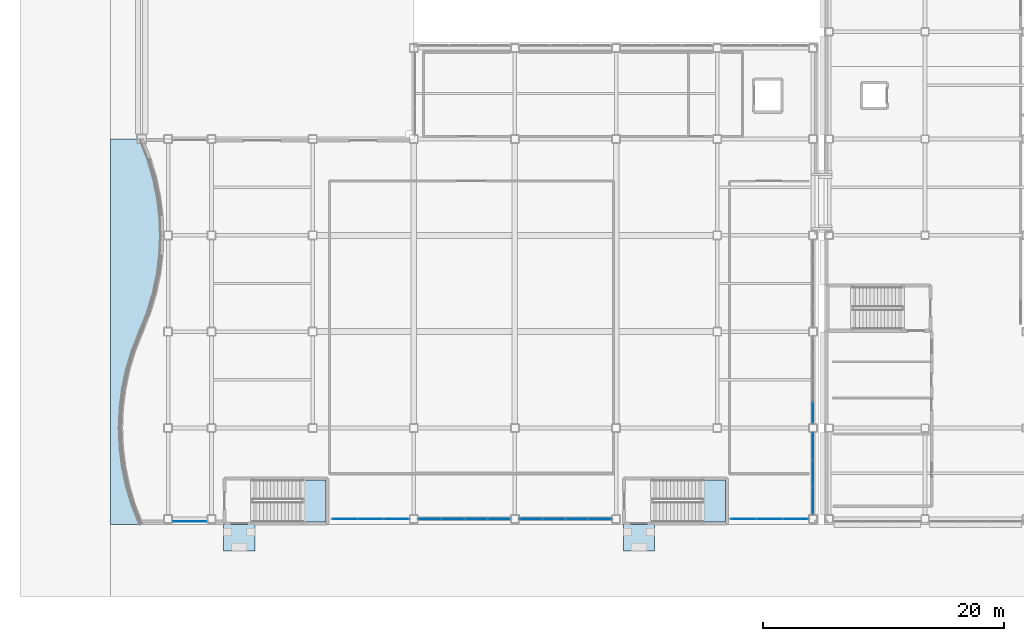
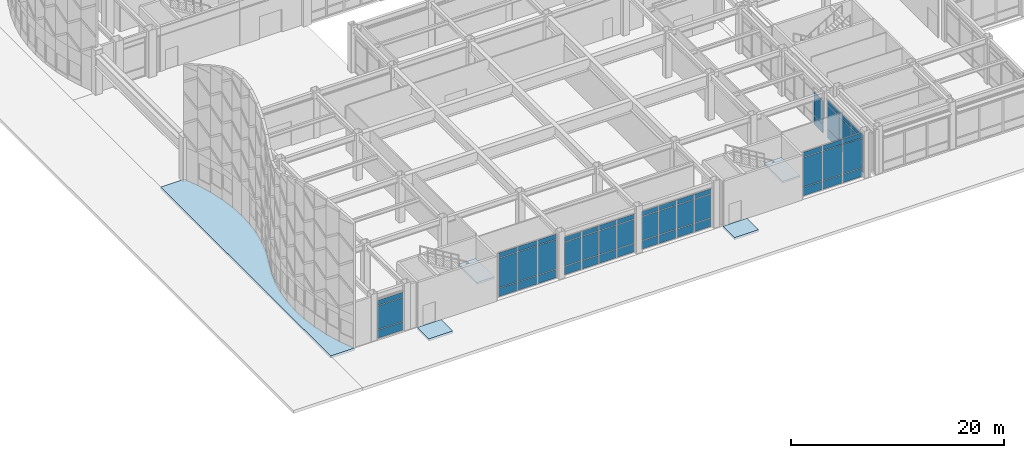
# One storey, part 109 of 165: 56 plates, 5 slabs, 9 elements without a shape of their own.
"""IFC4 building model written with IfcOpenShell, lengths in metres."""

from ifc_helpers import new_model, si_unit, direction, frame, origin, origin_2d, place, context, subcontext, project, spatial, polyline, rectangle, outline, extrude, material, layer, layer_set, type_object, element, aggregate, save


model = new_model("IFC4")

# Units and contexts
model_context = context("Model", 3, precision=1e-05, world=origin(), true_north=direction((0.0, 1.0)))
body_context = subcontext(model_context, "Body", "Model", "MODEL_VIEW")
ifc_project = project(units=[si_unit("LENGTHUNIT", "METRE"), si_unit("AREAUNIT", "SQUARE_METRE"), si_unit("VOLUMEUNIT", "CUBIC_METRE"), si_unit("PLANEANGLEUNIT", "RADIAN"), si_unit("MASSUNIT", "GRAM", prefix="KILO")], contexts=[model_context])

# Site, building, storey
site_placement = place(None, origin())
site = spatial("IfcSite", under=ifc_project, at=site_placement, CompositionType="ELEMENT")
building_placement = place(site_placement, origin())
building = spatial("IfcBuilding", under=site, at=building_placement, Name="Kazehara Bluff Congress Hotel", CompositionType="ELEMENT")
storey_placement = place(building_placement, origin())
storey = spatial("IfcBuildingStorey", under=building, at=storey_placement, Name="L00", CompositionType="ELEMENT", Elevation=0.0)

# Curtain wall, plates
ifc_material_1 = material(Name="Anodised aluminium", Category="aluminium")
ifc_layer_1 = layer(ifc_material_1, 0.159912109375)
ifc_layer_set_1 = layer_set([ifc_layer_1], Name="Anodised aluminium")
curtain_wall_type_1 = type_object("IfcCurtainWallType", Name="TP-CW-25", PredefinedType="NOTDEFINED", material=ifc_layer_set_1)
curtain_wall_1_placement = place(storey_placement, origin())
curtain_wall_1 = element("IfcCurtainWall", 1, at=curtain_wall_1_placement, inside=storey, type_object=curtain_wall_type_1, Name="L00 curtain wall CW-25 CW-V2-L00-Y45-1840", PredefinedType="NOTDEFINED")
ifc_material_2 = material(Name="Insulated low-E double glazing", Category="glass")
ifc_layer_2 = layer(ifc_material_2, 0.031982421875)
ifc_layer_set_2 = layer_set([ifc_layer_2], Name="Insulated low-E double glazing")
plate_type = type_object("IfcPlateType", Name="TP-CWP-02", PredefinedType="CURTAIN_PANEL", material=ifc_layer_set_2)
plate_1_placement = place(storey_placement, frame((19.492431640625, 0.449951171875, 0.06005859375), z_axis=(0.0, 0.0, 1.0), x_axis=(1.0, 0.0, 0.0)))
plate_1 = element("IfcPlate", 2, at=plate_1_placement, type_object=plate_type, Name="CW-25 panel 1.1", PredefinedType="CURTAIN_PANEL", context=body_context, shape_type="SweptSolid", body=[
    extrude(rectangle(XDim=2.044921875, YDim=0.031982421875, at=origin_2d()), origin(), (0.0, 0.0, 1.0), 0.9599609375),
])
plate_2_placement = place(storey_placement, frame((19.492431640625, 0.449951171875, 1.080078125), z_axis=(0.0, 0.0, 1.0), x_axis=(1.0, 0.0, 0.0)))
plate_2 = element("IfcPlate", 3, at=plate_2_placement, type_object=plate_type, Name="CW-25 panel 1.2", PredefinedType="CURTAIN_PANEL", context=body_context, shape_type="SweptSolid", body=[
    extrude(rectangle(XDim=2.044921875, YDim=0.031982421875, at=origin_2d()), origin(), (0.0, 0.0, 1.0), 3.375),
])
plate_3_placement = place(storey_placement, frame((19.492431640625, 0.449951171875, 4.514892578125), z_axis=(0.0, 0.0, 1.0), x_axis=(1.0, 0.0, 0.0)))
plate_3 = element("IfcPlate", 4, at=plate_3_placement, type_object=plate_type, Name="CW-25 panel 1.3", PredefinedType="CURTAIN_PANEL", context=body_context, shape_type="SweptSolid", body=[
    extrude(rectangle(XDim=2.044921875, YDim=0.031982421875, at=origin_2d()), origin(), (0.0, 0.0, 1.0), 0.56005859375),
])
plate_4_placement = place(storey_placement, frame((21.625, 0.449951171875, 0.06005859375), z_axis=(0.0, 0.0, 1.0), x_axis=(1.0, 0.0, 0.0)))
plate_4 = element("IfcPlate", 5, at=plate_4_placement, type_object=plate_type, Name="CW-25 panel 2.1", PredefinedType="CURTAIN_PANEL", context=body_context, shape_type="SweptSolid", body=[
    extrude(rectangle(XDim=2.080078125, YDim=0.031982421875, at=origin_2d()), origin(), (0.0, 0.0, 1.0), 0.9599609375),
])
plate_5_placement = place(storey_placement, frame((21.625, 0.449951171875, 1.080078125), z_axis=(0.0, 0.0, 1.0), x_axis=(1.0, 0.0, 0.0)))
plate_5 = element("IfcPlate", 6, at=plate_5_placement, type_object=plate_type, Name="CW-25 panel 2.2", PredefinedType="CURTAIN_PANEL", context=body_context, shape_type="SweptSolid", body=[
    extrude(rectangle(XDim=2.080078125, YDim=0.031982421875, at=origin_2d()), origin(), (0.0, 0.0, 1.0), 3.375),
])
plate_6_placement = place(storey_placement, frame((21.625, 0.449951171875, 4.514892578125), z_axis=(0.0, 0.0, 1.0), x_axis=(1.0, 0.0, 0.0)))
plate_6 = element("IfcPlate", 7, at=plate_6_placement, type_object=plate_type, Name="CW-25 panel 2.3", PredefinedType="CURTAIN_PANEL", context=body_context, shape_type="SweptSolid", body=[
    extrude(rectangle(XDim=2.080078125, YDim=0.031982421875, at=origin_2d()), origin(), (0.0, 0.0, 1.0), 0.56005859375),
])
plate_7_placement = place(storey_placement, frame((23.757568359375, 0.449951171875, 0.06005859375), z_axis=(0.0, 0.0, 1.0), x_axis=(1.0, 0.0, 0.0)))
plate_7 = element("IfcPlate", 8, at=plate_7_placement, type_object=plate_type, Name="CW-25 panel 3.1", PredefinedType="CURTAIN_PANEL", context=body_context, shape_type="SweptSolid", body=[
    extrude(rectangle(XDim=2.044921875, YDim=0.031982421875, at=origin_2d()), origin(), (0.0, 0.0, 1.0), 0.9599609375),
])
plate_8_placement = place(storey_placement, frame((23.757568359375, 0.449951171875, 1.080078125), z_axis=(0.0, 0.0, 1.0), x_axis=(1.0, 0.0, 0.0)))
plate_8 = element("IfcPlate", 9, at=plate_8_placement, type_object=plate_type, Name="CW-25 panel 3.2", PredefinedType="CURTAIN_PANEL", context=body_context, shape_type="SweptSolid", body=[
    extrude(rectangle(XDim=2.044921875, YDim=0.031982421875, at=origin_2d()), origin(), (0.0, 0.0, 1.0), 3.375),
])
plate_9_placement = place(storey_placement, frame((23.757568359375, 0.449951171875, 4.514892578125), z_axis=(0.0, 0.0, 1.0), x_axis=(1.0, 0.0, 0.0)))
plate_9 = element("IfcPlate", 10, at=plate_9_placement, type_object=plate_type, Name="CW-25 panel 3.3", PredefinedType="CURTAIN_PANEL", context=body_context, shape_type="SweptSolid", body=[
    extrude(rectangle(XDim=2.044921875, YDim=0.031982421875, at=origin_2d()), origin(), (0.0, 0.0, 1.0), 0.56005859375),
])
aggregate(curtain_wall_1, [plate_1, plate_2, plate_3, plate_4, plate_5, plate_6, plate_7, plate_8, plate_9])

ifc_material_3 = material(Name="Anodised aluminium", Category="aluminium")
ifc_layer_3 = layer(ifc_material_3, 0.159912109375)
ifc_layer_set_3 = layer_set([ifc_layer_3], Name="Anodised aluminium")
curtain_wall_type_2 = type_object("IfcCurtainWallType", Name="TP-CW-26", PredefinedType="NOTDEFINED", material=ifc_layer_set_3)
curtain_wall_2_placement = place(storey_placement, origin())
curtain_wall_2 = element("IfcCurtainWall", 11, at=curtain_wall_2_placement, inside=storey, type_object=curtain_wall_type_2, Name="L00 curtain wall CW-26 CW-V2-L00-Y45-2555", PredefinedType="NOTDEFINED")
plate_10_placement = place(storey_placement, frame((26.530029296875, 0.449951171875, 0.06494140625), z_axis=(0.0, 0.0, 1.0), x_axis=(1.0, 0.0, 0.0)))
plate_10 = element("IfcPlate", 12, at=plate_10_placement, type_object=plate_type, Name="CW-26 panel 1.1", PredefinedType="CURTAIN_PANEL", context=body_context, shape_type="SweptSolid", body=[
    extrude(rectangle(XDim=1.820068359375, YDim=0.031982421875, at=origin_2d()), origin(), (0.0, 0.0, 1.0), 0.952392578125),
])
plate_11_placement = place(storey_placement, frame((26.530029296875, 0.449951171875, 1.08251953125), z_axis=(0.0, 0.0, 1.0), x_axis=(1.0, 0.0, 0.0)))
plate_11 = element("IfcPlate", 13, at=plate_11_placement, type_object=plate_type, Name="CW-26 panel 1.2", PredefinedType="CURTAIN_PANEL", context=body_context, shape_type="SweptSolid", body=[
    extrude(rectangle(XDim=1.820068359375, YDim=0.031982421875, at=origin_2d()), origin(), (0.0, 0.0, 1.0), 2.7099609375),
])
plate_12_placement = place(storey_placement, frame((26.530029296875, 0.449951171875, 3.857421875), z_axis=(0.0, 0.0, 1.0), x_axis=(1.0, 0.0, 0.0)))
plate_12 = element("IfcPlate", 14, at=plate_12_placement, type_object=plate_type, Name="CW-26 panel 1.3", PredefinedType="CURTAIN_PANEL", context=body_context, shape_type="SweptSolid", body=[
    extrude(rectangle(XDim=1.820068359375, YDim=0.031982421875, at=origin_2d()), origin(), (0.0, 0.0, 1.0), 0.552490234375),
])
plate_13_placement = place(storey_placement, frame((28.4375, 0.449951171875, 0.06494140625), z_axis=(0.0, 0.0, 1.0), x_axis=(1.0, 0.0, 0.0)))
plate_13 = element("IfcPlate", 15, at=plate_13_placement, type_object=plate_type, Name="CW-26 panel 2.1", PredefinedType="CURTAIN_PANEL", context=body_context, shape_type="SweptSolid", body=[
    extrude(rectangle(XDim=1.85498046875, YDim=0.031982421875, at=origin_2d()), origin(), (0.0, 0.0, 1.0), 0.952392578125),
])
plate_14_placement = place(storey_placement, frame((28.4375, 0.449951171875, 1.08251953125), z_axis=(0.0, 0.0, 1.0), x_axis=(1.0, 0.0, 0.0)))
plate_14 = element("IfcPlate", 16, at=plate_14_placement, type_object=plate_type, Name="CW-26 panel 2.2", PredefinedType="CURTAIN_PANEL", context=body_context, shape_type="SweptSolid", body=[
    extrude(rectangle(XDim=1.85498046875, YDim=0.031982421875, at=origin_2d()), origin(), (0.0, 0.0, 1.0), 2.7099609375),
])
plate_15_placement = place(storey_placement, frame((28.4375, 0.449951171875, 3.857421875), z_axis=(0.0, 0.0, 1.0), x_axis=(1.0, 0.0, 0.0)))
plate_15 = element("IfcPlate", 17, at=plate_15_placement, type_object=plate_type, Name="CW-26 panel 2.3", PredefinedType="CURTAIN_PANEL", context=body_context, shape_type="SweptSolid", body=[
    extrude(rectangle(XDim=1.85498046875, YDim=0.031982421875, at=origin_2d()), origin(), (0.0, 0.0, 1.0), 0.552490234375),
])
plate_16_placement = place(storey_placement, frame((30.362548828125, 0.449951171875, 0.06494140625), z_axis=(0.0, 0.0, 1.0), x_axis=(1.0, 0.0, 0.0)))
plate_16 = element("IfcPlate", 18, at=plate_16_placement, type_object=plate_type, Name="CW-26 panel 3.1", PredefinedType="CURTAIN_PANEL", context=body_context, shape_type="SweptSolid", body=[
    extrude(rectangle(XDim=1.85498046875, YDim=0.031982421875, at=origin_2d()), origin(), (0.0, 0.0, 1.0), 0.952392578125),
])
plate_17_placement = place(storey_placement, frame((30.362548828125, 0.449951171875, 1.08251953125), z_axis=(0.0, 0.0, 1.0), x_axis=(1.0, 0.0, 0.0)))
plate_17 = element("IfcPlate", 19, at=plate_17_placement, type_object=plate_type, Name="CW-26 panel 3.2", PredefinedType="CURTAIN_PANEL", context=body_context, shape_type="SweptSolid", body=[
    extrude(rectangle(XDim=1.85498046875, YDim=0.031982421875, at=origin_2d()), origin(), (0.0, 0.0, 1.0), 2.7099609375),
])
plate_18_placement = place(storey_placement, frame((30.362548828125, 0.449951171875, 3.857421875), z_axis=(0.0, 0.0, 1.0), x_axis=(1.0, 0.0, 0.0)))
plate_18 = element("IfcPlate", 20, at=plate_18_placement, type_object=plate_type, Name="CW-26 panel 3.3", PredefinedType="CURTAIN_PANEL", context=body_context, shape_type="SweptSolid", body=[
    extrude(rectangle(XDim=1.85498046875, YDim=0.031982421875, at=origin_2d()), origin(), (0.0, 0.0, 1.0), 0.552490234375),
])
plate_19_placement = place(storey_placement, frame((32.27001953125, 0.449951171875, 0.06494140625), z_axis=(0.0, 0.0, 1.0), x_axis=(1.0, 0.0, 0.0)))
plate_19 = element("IfcPlate", 21, at=plate_19_placement, type_object=plate_type, Name="CW-26 panel 4.1", PredefinedType="CURTAIN_PANEL", context=body_context, shape_type="SweptSolid", body=[
    extrude(rectangle(XDim=1.820068359375, YDim=0.031982421875, at=origin_2d()), origin(), (0.0, 0.0, 1.0), 0.952392578125),
])
plate_20_placement = place(storey_placement, frame((32.27001953125, 0.449951171875, 1.08251953125), z_axis=(0.0, 0.0, 1.0), x_axis=(1.0, 0.0, 0.0)))
plate_20 = element("IfcPlate", 22, at=plate_20_placement, type_object=plate_type, Name="CW-26 panel 4.2", PredefinedType="CURTAIN_PANEL", context=body_context, shape_type="SweptSolid", body=[
    extrude(rectangle(XDim=1.820068359375, YDim=0.031982421875, at=origin_2d()), origin(), (0.0, 0.0, 1.0), 2.7099609375),
])
plate_21_placement = place(storey_placement, frame((32.27001953125, 0.449951171875, 3.857421875), z_axis=(0.0, 0.0, 1.0), x_axis=(1.0, 0.0, 0.0)))
plate_21 = element("IfcPlate", 23, at=plate_21_placement, type_object=plate_type, Name="CW-26 panel 4.3", PredefinedType="CURTAIN_PANEL", context=body_context, shape_type="SweptSolid", body=[
    extrude(rectangle(XDim=1.820068359375, YDim=0.031982421875, at=origin_2d()), origin(), (0.0, 0.0, 1.0), 0.552490234375),
])
aggregate(curtain_wall_2, [plate_10, plate_11, plate_12, plate_13, plate_14, plate_15, plate_16, plate_17, plate_18, plate_19, plate_20, plate_21])

curtain_wall_3_placement = place(storey_placement, origin())
curtain_wall_3 = element("IfcCurtainWall", 24, at=curtain_wall_3_placement, inside=storey, type_object=curtain_wall_type_2, Name="L00 curtain wall CW-26 CW-V2-L00-Y45-3395", PredefinedType="NOTDEFINED")
plate_22_placement = place(storey_placement, frame((34.929931640625, 0.449951171875, 0.06494140625), z_axis=(0.0, 0.0, 1.0), x_axis=(1.0, 0.0, 0.0)))
plate_22 = element("IfcPlate", 25, at=plate_22_placement, type_object=plate_type, Name="CW-26 panel 1.1", PredefinedType="CURTAIN_PANEL", context=body_context, shape_type="SweptSolid", body=[
    extrude(rectangle(XDim=1.820068359375, YDim=0.031982421875, at=origin_2d()), origin(), (0.0, 0.0, 1.0), 0.952392578125),
])
plate_23_placement = place(storey_placement, frame((34.929931640625, 0.449951171875, 1.08251953125), z_axis=(0.0, 0.0, 1.0), x_axis=(1.0, 0.0, 0.0)))
plate_23 = element("IfcPlate", 26, at=plate_23_placement, type_object=plate_type, Name="CW-26 panel 1.2", PredefinedType="CURTAIN_PANEL", context=body_context, shape_type="SweptSolid", body=[
    extrude(rectangle(XDim=1.820068359375, YDim=0.031982421875, at=origin_2d()), origin(), (0.0, 0.0, 1.0), 2.7099609375),
])
plate_24_placement = place(storey_placement, frame((34.929931640625, 0.449951171875, 3.857421875), z_axis=(0.0, 0.0, 1.0), x_axis=(1.0, 0.0, 0.0)))
plate_24 = element("IfcPlate", 27, at=plate_24_placement, type_object=plate_type, Name="CW-26 panel 1.3", PredefinedType="CURTAIN_PANEL", context=body_context, shape_type="SweptSolid", body=[
    extrude(rectangle(XDim=1.820068359375, YDim=0.031982421875, at=origin_2d()), origin(), (0.0, 0.0, 1.0), 0.552490234375),
])
plate_25_placement = place(storey_placement, frame((36.83740234375, 0.449951171875, 0.06494140625), z_axis=(0.0, 0.0, 1.0), x_axis=(1.0, 0.0, 0.0)))
plate_25 = element("IfcPlate", 28, at=plate_25_placement, type_object=plate_type, Name="CW-26 panel 2.1", PredefinedType="CURTAIN_PANEL", context=body_context, shape_type="SweptSolid", body=[
    extrude(rectangle(XDim=1.85498046875, YDim=0.031982421875, at=origin_2d()), origin(), (0.0, 0.0, 1.0), 0.952392578125),
])
plate_26_placement = place(storey_placement, frame((36.83740234375, 0.449951171875, 1.08251953125), z_axis=(0.0, 0.0, 1.0), x_axis=(1.0, 0.0, 0.0)))
plate_26 = element("IfcPlate", 29, at=plate_26_placement, type_object=plate_type, Name="CW-26 panel 2.2", PredefinedType="CURTAIN_PANEL", context=body_context, shape_type="SweptSolid", body=[
    extrude(rectangle(XDim=1.85498046875, YDim=0.031982421875, at=origin_2d()), origin(), (0.0, 0.0, 1.0), 2.7099609375),
])
plate_27_placement = place(storey_placement, frame((36.83740234375, 0.449951171875, 3.857421875), z_axis=(0.0, 0.0, 1.0), x_axis=(1.0, 0.0, 0.0)))
plate_27 = element("IfcPlate", 30, at=plate_27_placement, type_object=plate_type, Name="CW-26 panel 2.3", PredefinedType="CURTAIN_PANEL", context=body_context, shape_type="SweptSolid", body=[
    extrude(rectangle(XDim=1.85498046875, YDim=0.031982421875, at=origin_2d()), origin(), (0.0, 0.0, 1.0), 0.552490234375),
])
plate_28_placement = place(storey_placement, frame((38.762451171875, 0.449951171875, 0.06494140625), z_axis=(0.0, 0.0, 1.0), x_axis=(1.0, 0.0, 0.0)))
plate_28 = element("IfcPlate", 31, at=plate_28_placement, type_object=plate_type, Name="CW-26 panel 3.1", PredefinedType="CURTAIN_PANEL", context=body_context, shape_type="SweptSolid", body=[
    extrude(rectangle(XDim=1.85498046875, YDim=0.031982421875, at=origin_2d()), origin(), (0.0, 0.0, 1.0), 0.952392578125),
])
plate_29_placement = place(storey_placement, frame((38.762451171875, 0.449951171875, 1.08251953125), z_axis=(0.0, 0.0, 1.0), x_axis=(1.0, 0.0, 0.0)))
plate_29 = element("IfcPlate", 32, at=plate_29_placement, type_object=plate_type, Name="CW-26 panel 3.2", PredefinedType="CURTAIN_PANEL", context=body_context, shape_type="SweptSolid", body=[
    extrude(rectangle(XDim=1.85498046875, YDim=0.031982421875, at=origin_2d()), origin(), (0.0, 0.0, 1.0), 2.7099609375),
])
plate_30_placement = place(storey_placement, frame((38.762451171875, 0.449951171875, 3.857421875), z_axis=(0.0, 0.0, 1.0), x_axis=(1.0, 0.0, 0.0)))
plate_30 = element("IfcPlate", 33, at=plate_30_placement, type_object=plate_type, Name="CW-26 panel 3.3", PredefinedType="CURTAIN_PANEL", context=body_context, shape_type="SweptSolid", body=[
    extrude(rectangle(XDim=1.85498046875, YDim=0.031982421875, at=origin_2d()), origin(), (0.0, 0.0, 1.0), 0.552490234375),
])
plate_31_placement = place(storey_placement, frame((40.669921875, 0.449951171875, 0.06494140625), z_axis=(0.0, 0.0, 1.0), x_axis=(1.0, 0.0, 0.0)))
plate_31 = element("IfcPlate", 34, at=plate_31_placement, type_object=plate_type, Name="CW-26 panel 4.1", PredefinedType="CURTAIN_PANEL", context=body_context, shape_type="SweptSolid", body=[
    extrude(rectangle(XDim=1.820068359375, YDim=0.031982421875, at=origin_2d()), origin(), (0.0, 0.0, 1.0), 0.952392578125),
])
plate_32_placement = place(storey_placement, frame((40.669921875, 0.449951171875, 1.08251953125), z_axis=(0.0, 0.0, 1.0), x_axis=(1.0, 0.0, 0.0)))
plate_32 = element("IfcPlate", 35, at=plate_32_placement, type_object=plate_type, Name="CW-26 panel 4.2", PredefinedType="CURTAIN_PANEL", context=body_context, shape_type="SweptSolid", body=[
    extrude(rectangle(XDim=1.820068359375, YDim=0.031982421875, at=origin_2d()), origin(), (0.0, 0.0, 1.0), 2.7099609375),
])
plate_33_placement = place(storey_placement, frame((40.669921875, 0.449951171875, 3.857421875), z_axis=(0.0, 0.0, 1.0), x_axis=(1.0, 0.0, 0.0)))
plate_33 = element("IfcPlate", 36, at=plate_33_placement, type_object=plate_type, Name="CW-26 panel 4.3", PredefinedType="CURTAIN_PANEL", context=body_context, shape_type="SweptSolid", body=[
    extrude(rectangle(XDim=1.820068359375, YDim=0.031982421875, at=origin_2d()), origin(), (0.0, 0.0, 1.0), 0.552490234375),
])
aggregate(curtain_wall_3, [plate_22, plate_23, plate_24, plate_25, plate_26, plate_27, plate_28, plate_29, plate_30, plate_31, plate_32, plate_33])

ifc_material_4 = material(Name="Anodised aluminium", Category="aluminium")
ifc_layer_4 = layer(ifc_material_4, 0.159912109375)
ifc_layer_set_4 = layer_set([ifc_layer_4], Name="Anodised aluminium")
curtain_wall_type_3 = type_object("IfcCurtainWallType", Name="TP-CW-27", PredefinedType="NOTDEFINED", material=ifc_layer_set_4)
curtain_wall_4_placement = place(storey_placement, origin())
curtain_wall_4 = element("IfcCurtainWall", 37, at=curtain_wall_4_placement, inside=storey, type_object=curtain_wall_type_3, Name="L00 curtain wall CW-27 CW-V2-L00-Y45-5150", PredefinedType="NOTDEFINED")
plate_34_placement = place(storey_placement, frame((52.600830078125, 0.449951171875, 0.06005859375), z_axis=(0.0, 0.0, 1.0), x_axis=(1.0, 0.0, 0.0)))
plate_34 = element("IfcPlate", 38, at=plate_34_placement, type_object=plate_type, Name="CW-27 panel 1.1", PredefinedType="CURTAIN_PANEL", context=body_context, shape_type="SweptSolid", body=[
    extrude(rectangle(XDim=2.061767578125, YDim=0.031982421875, at=origin_2d()), origin(), (0.0, 0.0, 1.0), 0.9599609375),
])
plate_35_placement = place(storey_placement, frame((52.600830078125, 0.449951171875, 1.080078125), z_axis=(0.0, 0.0, 1.0), x_axis=(1.0, 0.0, 0.0)))
plate_35 = element("IfcPlate", 39, at=plate_35_placement, type_object=plate_type, Name="CW-27 panel 1.2", PredefinedType="CURTAIN_PANEL", context=body_context, shape_type="SweptSolid", body=[
    extrude(rectangle(XDim=2.061767578125, YDim=0.031982421875, at=origin_2d()), origin(), (0.0, 0.0, 1.0), 3.375),
])
plate_36_placement = place(storey_placement, frame((52.600830078125, 0.449951171875, 4.514892578125), z_axis=(0.0, 0.0, 1.0), x_axis=(1.0, 0.0, 0.0)))
plate_36 = element("IfcPlate", 40, at=plate_36_placement, type_object=plate_type, Name="CW-27 panel 1.3", PredefinedType="CURTAIN_PANEL", context=body_context, shape_type="SweptSolid", body=[
    extrude(rectangle(XDim=2.061767578125, YDim=0.031982421875, at=origin_2d()), origin(), (0.0, 0.0, 1.0), 0.56005859375),
])
plate_37_placement = place(storey_placement, frame((54.75, 0.449951171875, 0.06005859375), z_axis=(0.0, 0.0, 1.0), x_axis=(1.0, 0.0, 0.0)))
plate_37 = element("IfcPlate", 41, at=plate_37_placement, type_object=plate_type, Name="CW-27 panel 2.1", PredefinedType="CURTAIN_PANEL", context=body_context, shape_type="SweptSolid", body=[
    extrude(rectangle(XDim=2.0966796875, YDim=0.031982421875, at=origin_2d()), origin(), (0.0, 0.0, 1.0), 0.9599609375),
])
plate_38_placement = place(storey_placement, frame((54.75, 0.449951171875, 1.080078125), z_axis=(0.0, 0.0, 1.0), x_axis=(1.0, 0.0, 0.0)))
plate_38 = element("IfcPlate", 42, at=plate_38_placement, type_object=plate_type, Name="CW-27 panel 2.2", PredefinedType="CURTAIN_PANEL", context=body_context, shape_type="SweptSolid", body=[
    extrude(rectangle(XDim=2.0966796875, YDim=0.031982421875, at=origin_2d()), origin(), (0.0, 0.0, 1.0), 3.375),
])
plate_39_placement = place(storey_placement, frame((54.75, 0.449951171875, 4.514892578125), z_axis=(0.0, 0.0, 1.0), x_axis=(1.0, 0.0, 0.0)))
plate_39 = element("IfcPlate", 43, at=plate_39_placement, type_object=plate_type, Name="CW-27 panel 2.3", PredefinedType="CURTAIN_PANEL", context=body_context, shape_type="SweptSolid", body=[
    extrude(rectangle(XDim=2.0966796875, YDim=0.031982421875, at=origin_2d()), origin(), (0.0, 0.0, 1.0), 0.56005859375),
])
plate_40_placement = place(storey_placement, frame((56.899169921875, 0.449951171875, 0.06005859375), z_axis=(0.0, 0.0, 1.0), x_axis=(1.0, 0.0, 0.0)))
plate_40 = element("IfcPlate", 44, at=plate_40_placement, type_object=plate_type, Name="CW-27 panel 3.1", PredefinedType="CURTAIN_PANEL", context=body_context, shape_type="SweptSolid", body=[
    extrude(rectangle(XDim=2.061767578125, YDim=0.031982421875, at=origin_2d()), origin(), (0.0, 0.0, 1.0), 0.9599609375),
])
plate_41_placement = place(storey_placement, frame((56.899169921875, 0.449951171875, 1.080078125), z_axis=(0.0, 0.0, 1.0), x_axis=(1.0, 0.0, 0.0)))
plate_41 = element("IfcPlate", 45, at=plate_41_placement, type_object=plate_type, Name="CW-27 panel 3.2", PredefinedType="CURTAIN_PANEL", context=body_context, shape_type="SweptSolid", body=[
    extrude(rectangle(XDim=2.061767578125, YDim=0.031982421875, at=origin_2d()), origin(), (0.0, 0.0, 1.0), 3.375),
])
plate_42_placement = place(storey_placement, frame((56.899169921875, 0.449951171875, 4.514892578125), z_axis=(0.0, 0.0, 1.0), x_axis=(1.0, 0.0, 0.0)))
plate_42 = element("IfcPlate", 46, at=plate_42_placement, type_object=plate_type, Name="CW-27 panel 3.3", PredefinedType="CURTAIN_PANEL", context=body_context, shape_type="SweptSolid", body=[
    extrude(rectangle(XDim=2.061767578125, YDim=0.031982421875, at=origin_2d()), origin(), (0.0, 0.0, 1.0), 0.56005859375),
])
aggregate(curtain_wall_4, [plate_34, plate_35, plate_36, plate_37, plate_38, plate_39, plate_40, plate_41, plate_42])

ifc_material_5 = material(Name="Anodised aluminium", Category="aluminium")
ifc_layer_5 = layer(ifc_material_5, 0.159912109375)
ifc_layer_set_5 = layer_set([ifc_layer_5], Name="Anodised aluminium")
curtain_wall_type_4 = type_object("IfcCurtainWallType", Name="TP-CW-31", PredefinedType="NOTDEFINED", material=ifc_layer_set_5)
curtain_wall_5_placement = place(storey_placement, origin())
curtain_wall_5 = element("IfcCurtainWall", 47, at=curtain_wall_5_placement, inside=storey, type_object=curtain_wall_type_4, Name="L00 curtain wall CW-31 CW-V2-L00-X5835-80", PredefinedType="NOTDEFINED")
plate_43_placement = place(storey_placement, frame((58.35009765625, 1.959228515625, 0.06494140625), z_axis=(0.0, 0.0, 1.0), x_axis=(0.0, 1.0, 0.0)))
plate_43 = element("IfcPlate", 48, at=plate_43_placement, type_object=plate_type, Name="CW-31 panel 1.1", PredefinedType="CURTAIN_PANEL", context=body_context, shape_type="SweptSolid", body=[
    extrude(rectangle(XDim=2.17822265625, YDim=0.031982421875, at=origin_2d()), origin(), (0.0, 0.0, 1.0), 0.952392578125),
])
plate_44_placement = place(storey_placement, frame((58.35009765625, 1.959228515625, 1.08251953125), z_axis=(0.0, 0.0, 1.0), x_axis=(0.0, 1.0, 0.0)))
plate_44 = element("IfcPlate", 49, at=plate_44_placement, type_object=plate_type, Name="CW-31 panel 1.2", PredefinedType="CURTAIN_PANEL", context=body_context, shape_type="SweptSolid", body=[
    extrude(rectangle(XDim=2.17822265625, YDim=0.031982421875, at=origin_2d()), origin(), (0.0, 0.0, 1.0), 2.7099609375),
])
plate_45_placement = place(storey_placement, frame((58.35009765625, 1.959228515625, 3.857421875), z_axis=(0.0, 0.0, 1.0), x_axis=(0.0, 1.0, 0.0)))
plate_45 = element("IfcPlate", 50, at=plate_45_placement, type_object=plate_type, Name="CW-31 panel 1.3", PredefinedType="CURTAIN_PANEL", context=body_context, shape_type="SweptSolid", body=[
    extrude(rectangle(XDim=2.17822265625, YDim=0.031982421875, at=origin_2d()), origin(), (0.0, 0.0, 1.0), 0.552490234375),
])
plate_46_placement = place(storey_placement, frame((58.35009765625, 4.22509765625, 0.06494140625), z_axis=(0.0, 0.0, 1.0), x_axis=(0.0, 1.0, 0.0)))
plate_46 = element("IfcPlate", 51, at=plate_46_placement, type_object=plate_type, Name="CW-31 panel 2.1", PredefinedType="CURTAIN_PANEL", context=body_context, shape_type="SweptSolid", body=[
    extrude(rectangle(XDim=2.21337890625, YDim=0.031982421875, at=origin_2d()), origin(), (0.0, 0.0, 1.0), 0.952392578125),
])
plate_47_placement = place(storey_placement, frame((58.35009765625, 4.22509765625, 1.08251953125), z_axis=(0.0, 0.0, 1.0), x_axis=(0.0, 1.0, 0.0)))
plate_47 = element("IfcPlate", 52, at=plate_47_placement, type_object=plate_type, Name="CW-31 panel 2.2", PredefinedType="CURTAIN_PANEL", context=body_context, shape_type="SweptSolid", body=[
    extrude(rectangle(XDim=2.21337890625, YDim=0.031982421875, at=origin_2d()), origin(), (0.0, 0.0, 1.0), 2.7099609375),
])
plate_48_placement = place(storey_placement, frame((58.35009765625, 4.22509765625, 3.857421875), z_axis=(0.0, 0.0, 1.0), x_axis=(0.0, 1.0, 0.0)))
plate_48 = element("IfcPlate", 53, at=plate_48_placement, type_object=plate_type, Name="CW-31 panel 2.3", PredefinedType="CURTAIN_PANEL", context=body_context, shape_type="SweptSolid", body=[
    extrude(rectangle(XDim=2.21337890625, YDim=0.031982421875, at=origin_2d()), origin(), (0.0, 0.0, 1.0), 0.552490234375),
])
plate_49_placement = place(storey_placement, frame((58.35009765625, 6.49072265625, 0.06494140625), z_axis=(0.0, 0.0, 1.0), x_axis=(0.0, 1.0, 0.0)))
plate_49 = element("IfcPlate", 54, at=plate_49_placement, type_object=plate_type, Name="CW-31 panel 3.1", PredefinedType="CURTAIN_PANEL", context=body_context, shape_type="SweptSolid", body=[
    extrude(rectangle(XDim=2.17822265625, YDim=0.031982421875, at=origin_2d()), origin(), (0.0, 0.0, 1.0), 0.952392578125),
])
plate_50_placement = place(storey_placement, frame((58.35009765625, 6.49072265625, 1.08251953125), z_axis=(0.0, 0.0, 1.0), x_axis=(0.0, 1.0, 0.0)))
plate_50 = element("IfcPlate", 55, at=plate_50_placement, type_object=plate_type, Name="CW-31 panel 3.2", PredefinedType="CURTAIN_PANEL", context=body_context, shape_type="SweptSolid", body=[
    extrude(rectangle(XDim=2.17822265625, YDim=0.031982421875, at=origin_2d()), origin(), (0.0, 0.0, 1.0), 2.7099609375),
])
plate_51_placement = place(storey_placement, frame((58.35009765625, 6.49072265625, 3.857421875), z_axis=(0.0, 0.0, 1.0), x_axis=(0.0, 1.0, 0.0)))
plate_51 = element("IfcPlate", 56, at=plate_51_placement, type_object=plate_type, Name="CW-31 panel 3.3", PredefinedType="CURTAIN_PANEL", context=body_context, shape_type="SweptSolid", body=[
    extrude(rectangle(XDim=2.17822265625, YDim=0.031982421875, at=origin_2d()), origin(), (0.0, 0.0, 1.0), 0.552490234375),
])
aggregate(curtain_wall_5, [plate_43, plate_44, plate_45, plate_46, plate_47, plate_48, plate_49, plate_50, plate_51])

ifc_material_6 = material(Name="Anodised aluminium", Category="aluminium")
ifc_layer_6 = layer(ifc_material_6, 0.159912109375)
ifc_layer_set_6 = layer_set([ifc_layer_6], Name="Anodised aluminium")
curtain_wall_type_5 = type_object("IfcCurtainWallType", Name="TP-CW-32", PredefinedType="NOTDEFINED", material=ifc_layer_set_6)
curtain_wall_6_placement = place(storey_placement, origin())
curtain_wall_6 = element("IfcCurtainWall", 57, at=curtain_wall_6_placement, inside=storey, type_object=curtain_wall_type_5, Name="L00 curtain wall CW-32 CW-V2-L00-X5835-835", PredefinedType="NOTDEFINED")
plate_52_placement = place(storey_placement, frame((58.35009765625, 9.280029296875, 0.06494140625), z_axis=(0.0, 0.0, 1.0), x_axis=(0.0, 1.0, 0.0)))
plate_52 = element("IfcPlate", 58, at=plate_52_placement, type_object=plate_type, Name="CW-32 panel 1.1", PredefinedType="CURTAIN_PANEL", context=body_context, shape_type="SweptSolid", body=[
    extrude(rectangle(XDim=1.719970703125, YDim=0.031982421875, at=origin_2d()), origin(), (0.0, 0.0, 1.0), 0.952392578125),
])
plate_53_placement = place(storey_placement, frame((58.35009765625, 9.280029296875, 1.08251953125), z_axis=(0.0, 0.0, 1.0), x_axis=(0.0, 1.0, 0.0)))
plate_53 = element("IfcPlate", 59, at=plate_53_placement, type_object=plate_type, Name="CW-32 panel 1.2", PredefinedType="CURTAIN_PANEL", context=body_context, shape_type="SweptSolid", body=[
    extrude(rectangle(XDim=1.719970703125, YDim=0.031982421875, at=origin_2d()), origin(), (0.0, 0.0, 1.0), 2.7099609375),
])
aggregate(curtain_wall_6, [plate_52, plate_53])

ifc_material_7 = material(Name="Anodised aluminium", Category="aluminium")
ifc_layer_7 = layer(ifc_material_7, 0.159912109375)
ifc_layer_set_7 = layer_set([ifc_layer_7], Name="Anodised aluminium")
curtain_wall_type_6 = type_object("IfcCurtainWallType", Name="TP-CW-97", PredefinedType="NOTDEFINED", material=ifc_layer_set_7)
curtain_wall_7_placement = place(storey_placement, origin())
curtain_wall_7 = element("IfcCurtainWall", 60, at=curtain_wall_7_placement, inside=storey, type_object=curtain_wall_type_6, Name="L00 curtain wall CW-97 CW-ENC-V2-L00-660-22", PredefinedType="NOTDEFINED")
plate_54_placement = place(storey_placement, frame((6.60009765625, 0.219970703125, 0.06005859375), z_axis=(0.0, 0.0, 1.0), x_axis=(-1.0, 0.0, 0.0)))
plate_54 = element("IfcPlate", 61, at=plate_54_placement, type_object=plate_type, Name="CW-97 panel 1.1", PredefinedType="CURTAIN_PANEL", context=body_context, shape_type="SweptSolid", body=[
    extrude(rectangle(XDim=2.760009765625, YDim=0.031982421875, at=origin_2d()), origin(), (0.0, 0.0, 1.0), 0.9599609375),
])
plate_55_placement = place(storey_placement, frame((6.60009765625, 0.219970703125, 1.080078125), z_axis=(0.0, 0.0, 1.0), x_axis=(-1.0, 0.0, 0.0)))
plate_55 = element("IfcPlate", 62, at=plate_55_placement, type_object=plate_type, Name="CW-97 panel 1.2", PredefinedType="CURTAIN_PANEL", context=body_context, shape_type="SweptSolid", body=[
    extrude(rectangle(XDim=2.760009765625, YDim=0.031982421875, at=origin_2d()), origin(), (0.0, 0.0, 1.0), 2.715087890625),
])
plate_56_placement = place(storey_placement, frame((6.60009765625, 0.219970703125, 3.85498046875), z_axis=(0.0, 0.0, 1.0), x_axis=(-1.0, 0.0, 0.0)))
plate_56 = element("IfcPlate", 63, at=plate_56_placement, type_object=plate_type, Name="CW-97 panel 1.3", PredefinedType="CURTAIN_PANEL", context=body_context, shape_type="SweptSolid", body=[
    extrude(rectangle(XDim=2.760009765625, YDim=0.031982421875, at=origin_2d()), origin(), (0.0, 0.0, 1.0), 0.56005859375),
])
aggregate(curtain_wall_7, [plate_54, plate_55, plate_56])

# Slabs
ifc_material_8 = material(Name="Concrete C36/45", Category="concrete")
ifc_layer_8 = layer(ifc_material_8, 0.25)
ifc_layer_set_8 = layer_set([ifc_layer_8], Name="Concrete C36/45")
slab_type_1 = type_object("IfcSlabType", Name="TP-SL-250", PredefinedType="FLOOR", material=ifc_layer_set_8)
slab_1_placement = place(storey_placement, frame((0.0, 0.0, -0.25)))
element("IfcSlab", 64, at=slab_1_placement, inside=storey, type_object=slab_type_1, Name="Escape Stair ST-04 exterior exit threshold slab", PredefinedType="FLOOR", context=body_context, shape_type="SweptSolid", body=[
    extrude(outline(polyline([(9.39990234375, -2.199951171875), (12.0, -2.199951171875), (12.0, -0.02001953125), (9.39990234375, -0.02001953125), (9.39990234375, -2.199951171875)])), origin(), (0.0, 0.0, 1.0), 0.25),
])
slab_2_placement = place(storey_placement, frame((0.0, 0.0, -0.25)))
element("IfcSlab", 65, at=slab_2_placement, inside=storey, type_object=slab_type_1, Name="Escape Stair ST-05 exterior exit threshold slab", PredefinedType="FLOOR", context=body_context, shape_type="SweptSolid", body=[
    extrude(outline(polyline([(42.60009765625, -2.199951171875), (45.199951171875, -2.199951171875), (45.199951171875, -0.02001953125), (42.60009765625, -0.02001953125), (42.60009765625, -2.199951171875)])), origin(), (0.0, 0.0, 1.0), 0.25),
])
ifc_material_9 = material(Name="Concrete C36/45", Category="concrete")
ifc_layer_9 = layer(ifc_material_9, 0.260009765625)
ifc_layer_set_9 = layer_set([ifc_layer_9], Name="Concrete C36/45")
slab_type_2 = type_object("IfcSlabType", Name="TP-SL-GND", PredefinedType="FLOOR", material=ifc_layer_set_9)
slab_3_placement = place(storey_placement, frame((0.0, 0.0, -0.260009765625)))
element("IfcSlab", 66, at=slab_3_placement, inside=storey, type_object=slab_type_2, Name="Ballroom western wave promenade", PredefinedType="FLOOR", context=body_context, shape_type="SweptSolid", body=[
    extrude(outline(polyline([(0.0, 0.0), (2.60009765625, 0.0), (1.965087890625, 1.60009765625), (1.485107421875, 3.199951171875), (1.14990234375, 4.800048828125), (0.949951171875, 6.39990234375), (0.885009765625, 8.0), (0.949951171875, 9.60009765625), (1.14990234375, 11.199951171875), (1.485107421875, 12.800048828125), (1.965087890625, 14.39990234375), (2.60009765625, 16.0), (3.235107421875, 17.60009765625), (3.715087890625, 19.199951171875), (4.050048828125, 20.800048828125), (4.25, 22.39990234375), (4.31494140625, 24.0), (4.25, 25.60009765625), (4.050048828125, 27.199951171875), (3.715087890625, 28.800048828125), (3.235107421875, 30.39990234375), (2.60009765625, 32.0), (0.0, 32.0), (0.0, 0.0)])), origin(), (0.0, 0.0, 1.0), 0.260009765625),
])

# Stair, slab
ifc_material_10 = material(Name="Concrete C36/45", Category="concrete")
stair_type = type_object("IfcStairType", Name="TP-ST-T01", PredefinedType="HALF_TURN_STAIR", material=ifc_material_10)
stair_1_placement = place(storey_placement, origin())
stair_1 = element("IfcStair", 67, at=stair_1_placement, inside=storey, type_object=stair_type, Name="L00 Escape stair ST-04", PredefinedType="HALF_TURN_STAIR")
ifc_material_11 = material(Name="Concrete C36/45", Category="concrete")
ifc_layer_10 = layer(ifc_material_11, 0.199951171875)
ifc_layer_set_10 = layer_set([ifc_layer_10], Name="Concrete C36/45")
slab_type_3 = type_object("IfcSlabType", Name="TP-SLD-200", PredefinedType="LANDING", material=ifc_layer_set_10)
slab_4_placement = place(storey_placement, frame((0.0, 0.0, 2.5)))
slab_4 = element("IfcSlab", 68, at=slab_4_placement, type_object=slab_type_3, Name="ST-04 landing 1", PredefinedType="LANDING", context=body_context, shape_type="SweptSolid", body=[
    extrude(outline(polyline([(16.0, 0.199951171875), (17.89990234375, 0.199951171875), (17.89990234375, 3.699951171875), (16.0, 3.699951171875), (16.0, 0.199951171875)])), origin(), (0.0, 0.0, 1.0), 0.199951171875),
])
aggregate(stair_1, [slab_4])

stair_2_placement = place(storey_placement, origin())
stair_2 = element("IfcStair", 69, at=stair_2_placement, inside=storey, type_object=stair_type, Name="L00 Escape stair ST-05", PredefinedType="HALF_TURN_STAIR")
slab_5_placement = place(storey_placement, frame((0.0, 0.0, 2.5)))
slab_5 = element("IfcSlab", 70, at=slab_5_placement, type_object=slab_type_3, Name="ST-05 landing 1", PredefinedType="LANDING", context=body_context, shape_type="SweptSolid", body=[
    extrude(outline(polyline([(49.199951171875, 0.199951171875), (51.10009765625, 0.199951171875), (51.10009765625, 3.699951171875), (49.199951171875, 3.699951171875), (49.199951171875, 0.199951171875)])), origin(), (0.0, 0.0, 1.0), 0.199951171875),
])
aggregate(stair_2, [slab_5])

save(model, "model.ifc")
